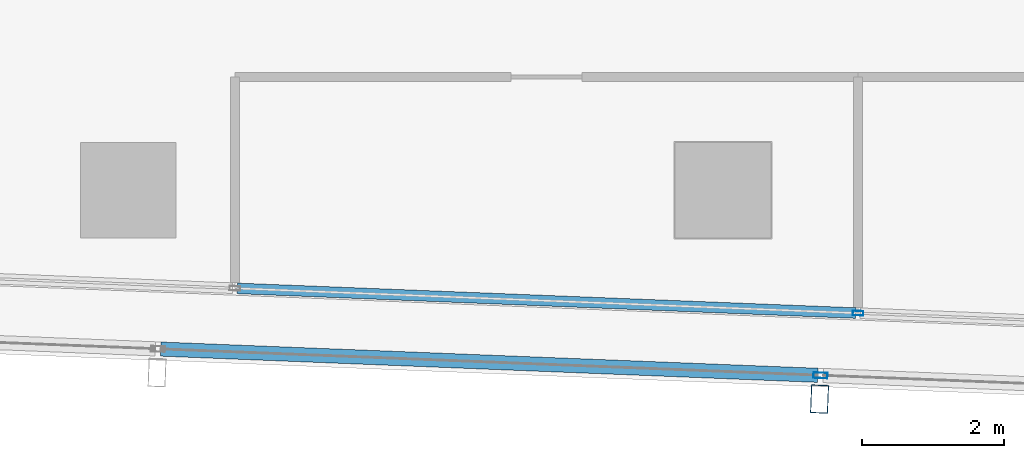
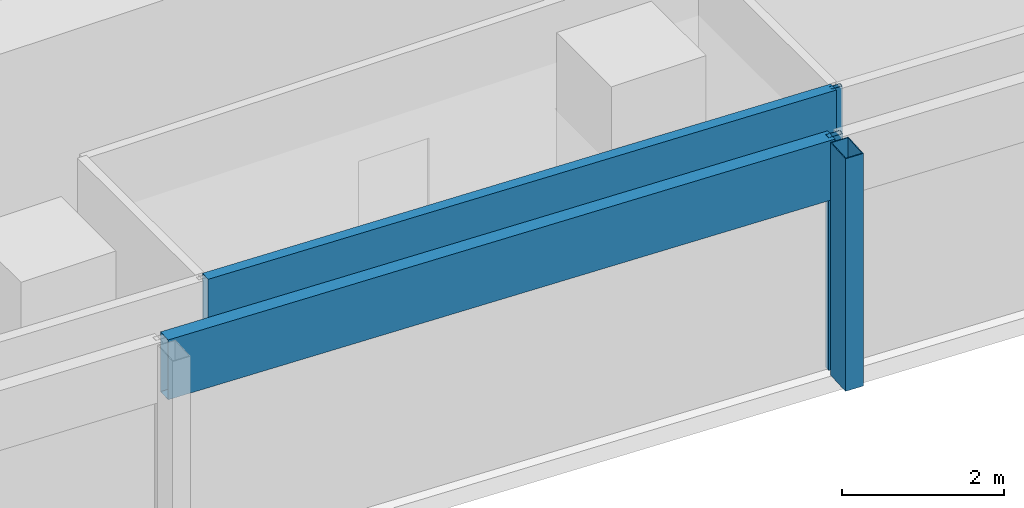
# One storey, part 7 of 39: 5 members, 2 elements without a shape of their own.
"""IFC4 building model written with IfcOpenShell, lengths in metres."""

from ifc_helpers import new_model, si_unit, direction, frame, origin, origin_2d, place, context, subcontext, project, spatial, hollow_rectangle, extrude, material, material_profile, profile_set, type_object, element, aggregate, save


model = new_model("IFC4")

# Units and contexts
model_context = context("Model", 3, precision=1e-05, world=origin(), true_north=direction((0.0, 1.0)))
body_context = subcontext(model_context, "Body", "Model", "MODEL_VIEW")
ifc_project = project(units=[si_unit("LENGTHUNIT", "METRE"), si_unit("AREAUNIT", "SQUARE_METRE"), si_unit("VOLUMEUNIT", "CUBIC_METRE"), si_unit("PLANEANGLEUNIT", "RADIAN"), si_unit("MASSUNIT", "GRAM", prefix="KILO")], contexts=[model_context])

# Site, building, storey
site_placement = place(None, origin())
site = spatial("IfcSite", under=ifc_project, at=site_placement, CompositionType="ELEMENT")
building_placement = place(site_placement, origin())
building = spatial("IfcBuilding", under=site, at=building_placement, Name="Rekha Terrace Tower", CompositionType="ELEMENT")
storey_placement = place(building_placement, frame((0.0, 0.0, 217.699951171875)))
storey = spatial("IfcBuildingStorey", under=building, at=storey_placement, Name="L55", CompositionType="ELEMENT", Elevation=217.699951171875)

# Curtain wall, member
ifc_material_1 = material(Name="Aluminium framing", Category="aluminium")
curtain_wall_type_1 = type_object("IfcCurtainWallType", Name="CW2 double skin outer glazing", PredefinedType="USERDEFINED", material=ifc_material_1)
curtain_wall_1_placement = place(storey_placement, origin())
curtain_wall_1 = element("IfcCurtainWall", 1, at=curtain_wall_1_placement, inside=storey, type_object=curtain_wall_type_1, Name="CW2 double skin outer glazing", ObjectType="DOUBLE SKIN OUTER GLAZING", PredefinedType="USERDEFINED")
ifc_material_2 = material(Name="Steel S355 with fluorocarbon finish", Category="steel")
ifc_material_profile_1 = material_profile(ifc_material_2, hollow_rectangle(XDim=0.25, YDim=0.39990234375, WallThickness=0.012451171875, at=origin_2d()), Name="RHS400x250x12.5")
ifc_profile_set_1 = profile_set([ifc_material_profile_1], Name="Steel S355 with fluorocarbon finish")
member_type_1 = type_object("IfcMemberType", Name="BL1 facade blade RHS 400 x 250", PredefinedType="USERDEFINED", material=ifc_profile_set_1)
member_1_placement = place(storey_placement, frame((34.9638671875, 13.84912109375, 0.0), z_axis=(0.0, 0.0, 1.0), x_axis=(0.999204797763, -0.039871946621, 0.0)))
member_1 = element("IfcMember", 2, at=member_1_placement, type_object=member_type_1, Name="Facade blade", ObjectType="FACADE BLADE", PredefinedType="USERDEFINED", context=body_context, shape_type="SweptSolid", body=[
    extrude(hollow_rectangle(XDim=0.25, YDim=0.39990234375, WallThickness=0.012451171875, at=origin_2d()), origin(), (0.0, 0.0, 1.0), 3.5),
])

# Curtain wall, members
curtain_wall_type_2 = type_object("IfcCurtainWallType", Name="CW1 double skin inner glazing", PredefinedType="USERDEFINED", material=ifc_material_1)
curtain_wall_2_placement = place(storey_placement, origin())
curtain_wall_2 = element("IfcCurtainWall", 3, at=curtain_wall_2_placement, inside=storey, type_object=curtain_wall_type_2, Name="CW1 double skin inner glazing", ObjectType="DOUBLE SKIN INNER GLAZING", PredefinedType="USERDEFINED")
ifc_material_3 = material(Name="Aluminium mullion section", Category="aluminium")
ifc_material_profile_2 = material_profile(ifc_material_3, hollow_rectangle(XDim=0.06494140625, YDim=0.14990234375, WallThickness=0.00390625, at=origin_2d()), Name="AL RHS 65x150")
ifc_profile_set_2 = profile_set([ifc_material_profile_2], Name="Aluminium mullion section")
member_type_2 = type_object("IfcMemberType", Name="CW1 mullion RHS 65 x 150", PredefinedType="MULLION", material=ifc_profile_set_2)
member_2_placement = place(storey_placement, frame((35.507568359375, 15.063232421875, 0.0), z_axis=(0.0, 0.0, 1.0), x_axis=(0.039872497061, 0.999204775798, 0.0)))
member_2 = element("IfcMember", 4, at=member_2_placement, type_object=member_type_2, Name="CW1 mullion 4", PredefinedType="MULLION", context=body_context, shape_type="SweptSolid", body=[
    extrude(hollow_rectangle(XDim=0.06494140625, YDim=0.14990234375, WallThickness=0.00390625, at=origin_2d()), origin(), (0.0, 0.0, 1.0), 3.5),
])
ifc_material_4 = material(Name="Insulated aluminium spandrel box", Category="aluminium")
ifc_material_profile_3 = material_profile(ifc_material_4, hollow_rectangle(XDim=0.14990234375, YDim=0.89990234375, WallThickness=0.0029296875, at=origin_2d()), Name="AL SPANDREL BOX 150x900")
ifc_profile_set_3 = profile_set([ifc_material_profile_3], Name="Insulated aluminium spandrel box")
member_type_3 = type_object("IfcMemberType", Name="CW1 spandrel transom 150 x 900", PredefinedType="USERDEFINED", material=ifc_profile_set_3)
member_3_placement = place(storey_placement, frame((26.73583984375, 15.413330078125, 3.050048828125), z_axis=(0.999205233714, -0.039861020051, 0.0), x_axis=(0.039861020051, 0.999205233714, 0.0)))
member_3 = element("IfcMember", 5, at=member_3_placement, type_object=member_type_3, Name="CW1 spandrel transom 3", ObjectType="TRANSOM", PredefinedType="USERDEFINED", context=body_context, shape_type="SweptSolid", body=[
    extrude(hollow_rectangle(XDim=0.14990234375, YDim=0.89990234375, WallThickness=0.0029296875, at=origin_2d()), origin(), (0.0, 0.0, 1.0), 8.74609375),
])
aggregate(curtain_wall_2, [member_2, member_3])

# Member
ifc_material_profile_4 = material_profile(ifc_material_3, hollow_rectangle(XDim=0.080078125, YDim=0.199951171875, WallThickness=0.00390625, at=origin_2d()), Name="AL RHS 80x200")
ifc_profile_set_4 = profile_set([ifc_material_profile_4], Name="Aluminium mullion section")
member_type_4 = type_object("IfcMemberType", Name="CW2 mullion RHS 80 x 200", PredefinedType="MULLION", material=ifc_profile_set_4)
member_4_placement = place(storey_placement, frame((34.97705078125, 14.183837890625, 0.0), z_axis=(0.0, 0.0, 1.0), x_axis=(0.039872497044, 0.999204775799, 0.0)))
member_4 = element("IfcMember", 6, at=member_4_placement, type_object=member_type_4, Name="CW2 mullion 4", PredefinedType="MULLION", context=body_context, shape_type="SweptSolid", body=[
    extrude(hollow_rectangle(XDim=0.080078125, YDim=0.199951171875, WallThickness=0.00390625, at=origin_2d()), origin(), (0.0, 0.0, 1.0), 3.5),
])

ifc_material_profile_5 = material_profile(ifc_material_4, hollow_rectangle(XDim=0.199951171875, YDim=0.89990234375, WallThickness=0.0029296875, at=origin_2d()), Name="AL SPANDREL BOX 200x900")
ifc_profile_set_5 = profile_set([ifc_material_profile_5], Name="Insulated aluminium spandrel box")
member_type_5 = type_object("IfcMemberType", Name="CW2 spandrel transom 200 x 900", PredefinedType="USERDEFINED", material=ifc_profile_set_5)
member_5_placement = place(storey_placement, frame((25.658447265625, 14.5556640625, 3.050048828125), z_axis=(0.999204356934, -0.039882992408, 0.0), x_axis=(0.039882992408, 0.999204356934, 0.0)))
member_5 = element("IfcMember", 7, at=member_5_placement, type_object=member_type_5, Name="CW2 spandrel transom 3", ObjectType="TRANSOM", PredefinedType="USERDEFINED", context=body_context, shape_type="SweptSolid", body=[
    extrude(hollow_rectangle(XDim=0.199951171875, YDim=0.89990234375, WallThickness=0.0029296875, at=origin_2d()), origin(), (0.0, 0.0, 1.0), 9.2861328125),
])

aggregate(curtain_wall_1, [member_4, member_5, member_1])

save(model, "model.ifc")
